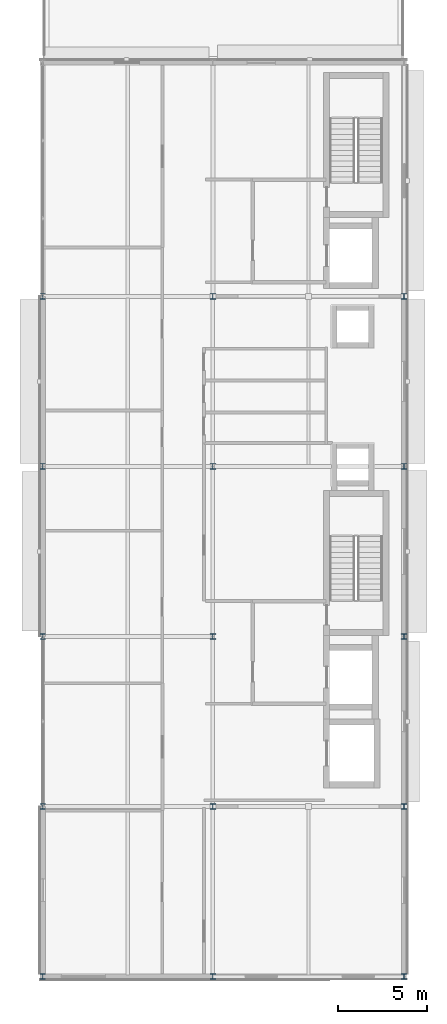
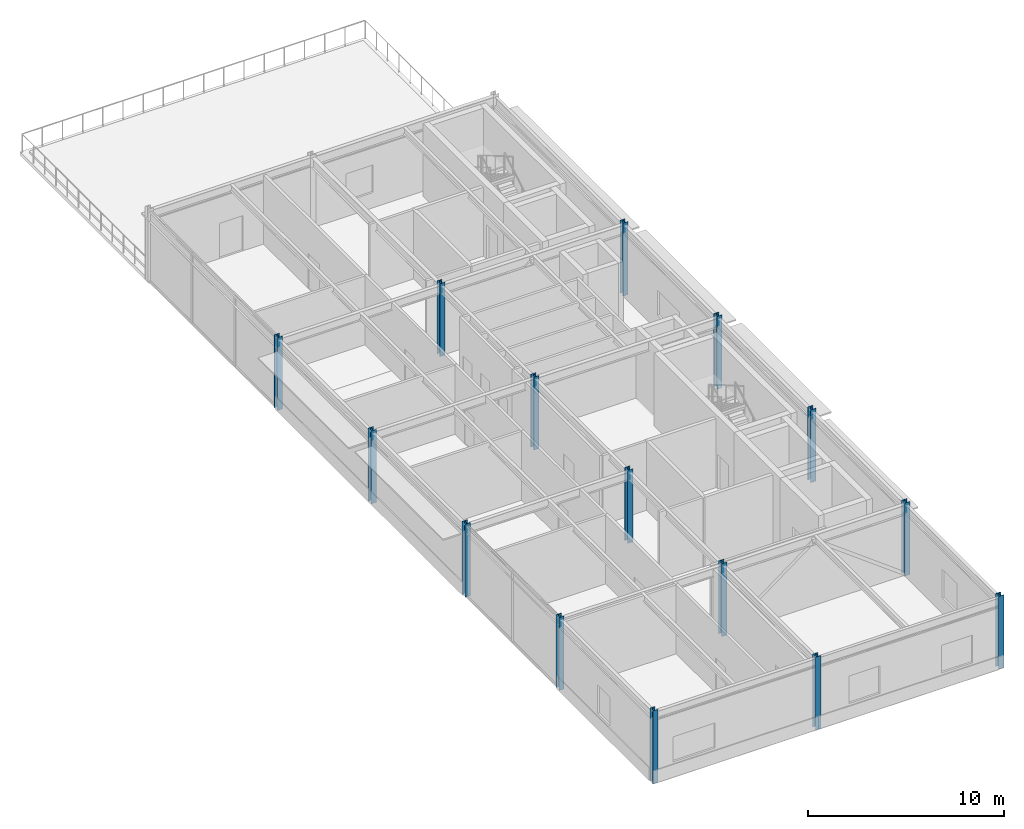
# One storey, part 1 of 18: 15 columns.
"""IFC4 building model written with IfcOpenShell, lengths in metres."""

from ifc_helpers import new_model, si_unit, direction, frame, origin, origin_2d, place, context, subcontext, project, spatial, i_section, extrude, material, material_profile, profile_set, type_object, element, save


model = new_model("IFC4")

# Units and contexts
model_context = context("Model", 3, precision=1e-05, world=origin(), true_north=direction((0.0, 1.0)))
body_context = subcontext(model_context, "Body", "Model", "MODEL_VIEW")
ifc_project = project(units=[si_unit("LENGTHUNIT", "METRE"), si_unit("AREAUNIT", "SQUARE_METRE"), si_unit("VOLUMEUNIT", "CUBIC_METRE"), si_unit("PLANEANGLEUNIT", "RADIAN"), si_unit("MASSUNIT", "GRAM", prefix="KILO")], contexts=[model_context])

# Site, building, storey
site_placement = place(None, origin())
site = spatial("IfcSite", under=ifc_project, at=site_placement, CompositionType="ELEMENT")
building_placement = place(site_placement, origin())
building = spatial("IfcBuilding", under=site, at=building_placement, Name="Almandine Court Research Institute", CompositionType="ELEMENT")
storey_placement = place(building_placement, frame((0.0, 0.0, 37.10009765625)))
storey = spatial("IfcBuildingStorey", under=building, at=storey_placement, Name="L08", CompositionType="ELEMENT", Elevation=37.10009765625)

# Columns
ifc_material = material(Name="Steel ASTM A992 Grade 50", Category="steel")
ifc_material_profile_1 = material_profile(ifc_material, i_section(OverallWidth=0.30810546875, OverallDepth=0.318115234375, WebThickness=0.012939453125, FlangeThickness=0.02099609375, at=origin_2d()), Name="W310x129")
ifc_profile_set_1 = profile_set([ifc_material_profile_1], Name="Steel ASTM A992 Grade 50")
column_type_1 = type_object("IfcColumnType", Name="Col-C-W07", PredefinedType="COLUMN", material=ifc_profile_set_1)
for number, where, z_axis, x_axis, name in (
    (1, (153.60009765625, 15.60009765625, 0.0), (0.0, 0.0, 1.0), (1.0, 0.0, 0.0), "L08 V4 Column V4-X2Y2"),
    (2, (153.60009765625, 25.199951171875, 0.0), (0.0, 0.0, 1.0), (1.0, 0.0, 0.0), "L08 V4 Column V4-X2Y3"),
    (3, (153.60009765625, 34.800048828125, 0.0), (0.0, 0.0, 1.0), (1.0, 0.0, 0.0), "L08 V4 Column V4-X2Y4"),
    (4, (153.60009765625, 44.39990234375, 0.0), (0.0, 0.0, 1.0), (1.0, 0.0, 0.0), "L08 V4 Column V4-X2Y5"),
    (5, (163.199951171875, 15.60009765625, 0.0), (0.0, 0.0, 1.0), (1.0, 0.0, 0.0), "L08 V4 Column V4-X3Y2"),
    (6, (163.199951171875, 25.199951171875, 0.0), (0.0, 0.0, 1.0), (1.0, 0.0, 0.0), "L08 V4 Column V4-X3Y3"),
    (7, (163.199951171875, 34.800048828125, 0.0), (0.0, 0.0, 1.0), (1.0, 0.0, 0.0), "L08 V4 Column V4-X3Y4"),
    (8, (163.199951171875, 44.39990234375, 0.0), (0.0, 0.0, 1.0), (1.0, 0.0, 0.0), "L08 V4 Column V4-X3Y5"),
):
    element("IfcColumn", number, at=place(storey_placement, frame(where, z_axis=z_axis, x_axis=x_axis)), inside=storey, type_object=column_type_1, Name=name, PredefinedType="COLUMN", context=body_context, shape_type="SweptSolid", body=[
        extrude(i_section(OverallWidth=0.30810546875, OverallDepth=0.318115234375, WebThickness=0.012939453125, FlangeThickness=0.02099609375, at=origin_2d()), origin(), (0.0, 0.0, 1.0), 4.5498046875),
    ])
ifc_material_profile_2 = material_profile(ifc_material, i_section(OverallWidth=0.30810546875, OverallDepth=0.318115234375, WebThickness=0.012939453125, FlangeThickness=0.02099609375, at=origin_2d()), Name="W310x129")
ifc_profile_set_2 = profile_set([ifc_material_profile_2], Name="Steel ASTM A992 Grade 50")
column_type_2 = type_object("IfcColumnType", Name="Col-C-W07-E", PredefinedType="COLUMN", material=ifc_profile_set_2)
for number, where, z_axis, x_axis, name in (
    (9, (153.60009765625, 6.0, 0.0), (0.0, 0.0, 1.0), (1.0, 0.0, 0.0), "L08 V4 Column V4-X2Y1"),
    (10, (163.199951171875, 6.0, 0.0), (0.0, 0.0, 1.0), (1.0, 0.0, 0.0), "L08 V4 Column V4-X3Y1"),
    (11, (174.0, 6.0, 0.0), (0.0, 0.0, 1.0), (1.0, 0.0, 0.0), "L08 V4 Column V4-X4Y1"),
    (12, (174.0, 15.60009765625, 0.0), (0.0, 0.0, 1.0), (1.0, 0.0, 0.0), "L08 V4 Column V4-X4Y2"),
    (13, (174.0, 25.199951171875, 0.0), (0.0, 0.0, 1.0), (1.0, 0.0, 0.0), "L08 V4 Column V4-X4Y3"),
    (14, (174.0, 34.800048828125, 0.0), (0.0, 0.0, 1.0), (1.0, 0.0, 0.0), "L08 V4 Column V4-X4Y4"),
    (15, (174.0, 44.39990234375, 0.0), (0.0, 0.0, 1.0), (1.0, 0.0, 0.0), "L08 V4 Column V4-X4Y5"),
):
    element("IfcColumn", number, at=place(storey_placement, frame(where, z_axis=z_axis, x_axis=x_axis)), inside=storey, type_object=column_type_2, Name=name, PredefinedType="COLUMN", context=body_context, shape_type="SweptSolid", body=[
        extrude(i_section(OverallWidth=0.30810546875, OverallDepth=0.318115234375, WebThickness=0.012939453125, FlangeThickness=0.02099609375, at=origin_2d()), origin(), (0.0, 0.0, 1.0), 4.5498046875),
    ])

save(model, "model.ifc")
